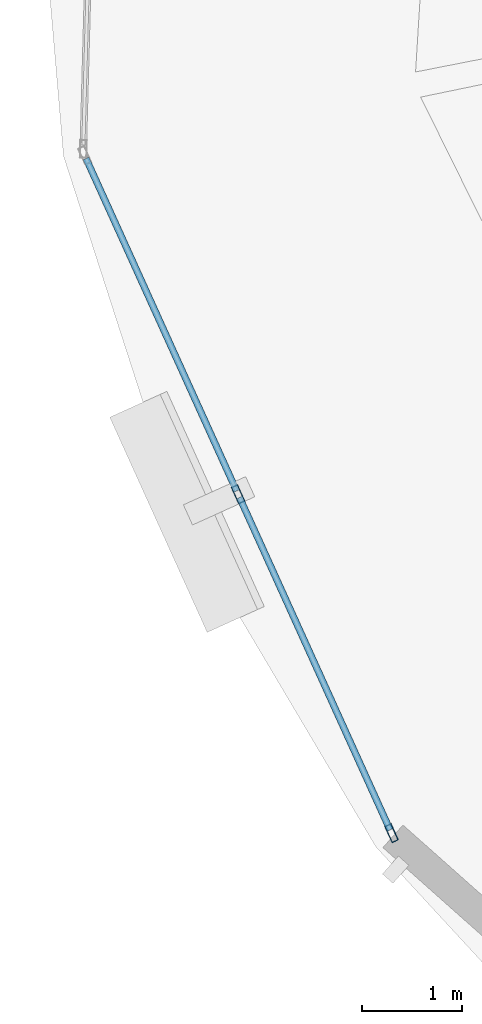
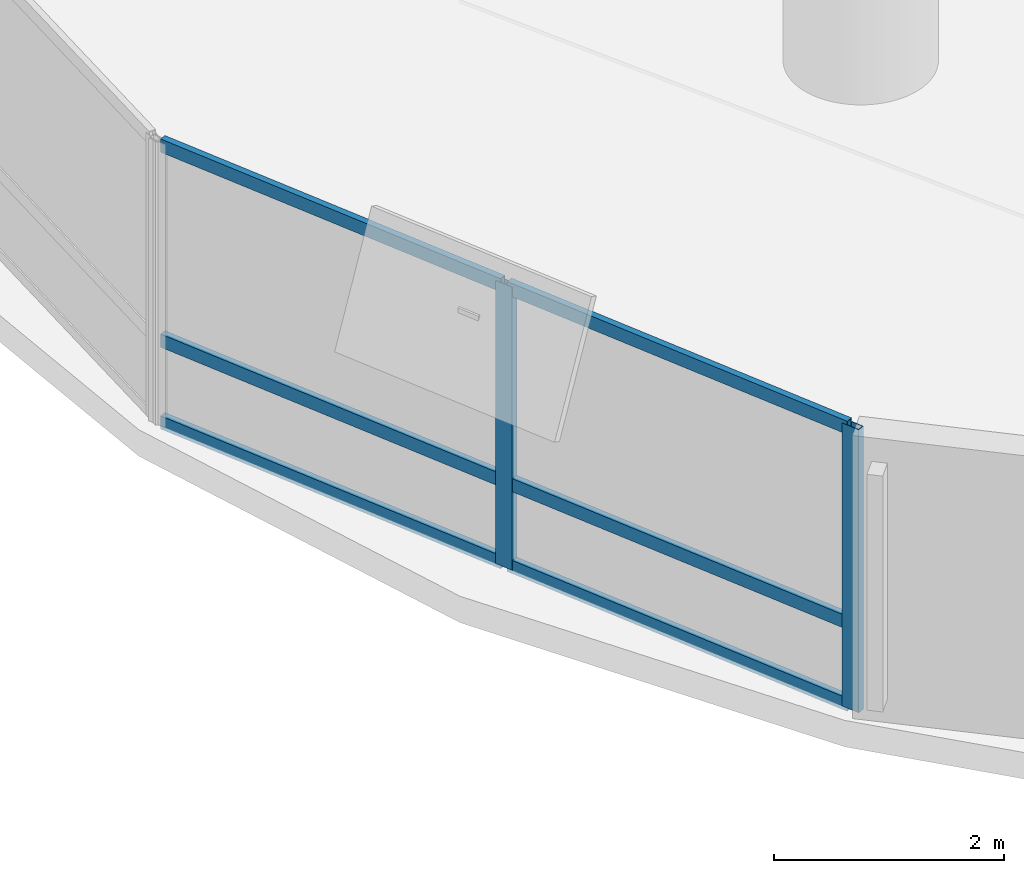
# One storey, part 2 of 17: 8 members, 1 element without a shape of its own.
"""IFC4 building model written with IfcOpenShell, lengths in metres."""

from ifc_helpers import new_model, si_unit, direction, frame, origin, origin_2d, place, context, subcontext, project, spatial, hollow_rectangle, extrude, material, layer, layer_set, material_profile, profile_set, type_object, element, aggregate, save


model = new_model("IFC4")

# Units and contexts
model_context = context("Model", 3, precision=1e-05, world=origin(), true_north=direction((0.0, 1.0)))
body_context = subcontext(model_context, "Body", "Model", "MODEL_VIEW")
ifc_project = project(units=[si_unit("LENGTHUNIT", "METRE"), si_unit("AREAUNIT", "SQUARE_METRE"), si_unit("VOLUMEUNIT", "CUBIC_METRE"), si_unit("PLANEANGLEUNIT", "RADIAN"), si_unit("MASSUNIT", "GRAM", prefix="KILO"), si_unit("THERMODYNAMICTEMPERATUREUNIT", "KELVIN"), si_unit("POWERUNIT", "WATT")], contexts=[model_context])

# Site, building, storey
site_placement = place(None, origin())
site = spatial("IfcSite", under=ifc_project, at=site_placement, CompositionType="ELEMENT")
building_placement = place(site_placement, origin())
building = spatial("IfcBuilding", under=site, at=building_placement, Name="Ocrelia Relay Tower", CompositionType="ELEMENT")
storey_placement = place(building_placement, frame((0.0, 0.0, 80.39990234375)))
storey = spatial("IfcBuildingStorey", under=building, at=storey_placement, Name="L18", CompositionType="ELEMENT", Elevation=80.39990234375)

# Curtain wall, members
ifc_material_1 = material(Name="Aluminium and solar-control low-E glass", Category="aluminium")
ifc_layer = layer(ifc_material_1, 0.179931640625, Name="Aluminium and solar-control low-E glass")
ifc_layer_set = layer_set([ifc_layer], Name="Aluminium and solar-control low-E glass")
curtain_wall_type = type_object("IfcCurtainWallType", Name="CW-SYS-Z1-DATA", PredefinedType="NOTDEFINED", material=ifc_layer_set)
curtain_wall_placement = place(storey_placement, origin())
curtain_wall = element("IfcCurtainWall", 1, at=curtain_wall_placement, inside=storey, type_object=curtain_wall_type, Name="L18 Elliptical Tower Curtain Wall Bay 10", PredefinedType="NOTDEFINED")
ifc_material_2 = material(Name="Anodised bronze aluminium", Category="aluminium")
ifc_material_profile_1 = material_profile(ifc_material_2, hollow_rectangle(XDim=0.070068359375, YDim=0.179931640625, WallThickness=0.006103515625, at=origin_2d()), Name="CW-MUL-180x70")
ifc_profile_set_1 = profile_set([ifc_material_profile_1], Name="Anodised bronze aluminium")
member_type_1 = type_object("IfcMemberType", Name="CW-SYS-Z1-DATA-MUL", PredefinedType="MULLION", material=ifc_profile_set_1)
member_1_placement = place(storey_placement, frame((8.290283203125, 17.10009765625, 0.0), z_axis=(0.0, 0.0, 1.0), x_axis=(0.910970682589, 0.41247110864, 0.0)))
member_1 = element("IfcMember", 2, at=member_1_placement, type_object=member_type_1, Name="CW-Z1 mullion 2", PredefinedType="MULLION", context=body_context, shape_type="SweptSolid", body=[
    extrude(hollow_rectangle(XDim=0.070068359375, YDim=0.179931640625, WallThickness=0.006103515625, at=origin_2d()), origin(), (0.0, 0.0, 1.0), 3.0),
])
member_2_placement = place(storey_placement, frame((9.8173828125, 13.72705078125, 0.0), z_axis=(0.0, 0.0, 1.0), x_axis=(0.910970682589, 0.41247110864, 0.0)))
member_2 = element("IfcMember", 3, at=member_2_placement, type_object=member_type_1, Name="CW-Z1 mullion 3", PredefinedType="MULLION", context=body_context, shape_type="SweptSolid", body=[
    extrude(hollow_rectangle(XDim=0.070068359375, YDim=0.179931640625, WallThickness=0.006103515625, at=origin_2d()), origin(), (0.0, 0.0, 1.0), 3.0),
])
ifc_material_profile_2 = material_profile(ifc_material_2, hollow_rectangle(XDim=0.06494140625, YDim=0.139892578125, WallThickness=0.0048828125, at=origin_2d()), Name="CW-TRN-140x65")
ifc_profile_set_2 = profile_set([ifc_material_profile_2], Name="Anodised bronze aluminium")
member_type_2 = type_object("IfcMemberType", Name="CW-SYS-Z1-DATA-TRN", PredefinedType="USERDEFINED", material=ifc_profile_set_2)
member_3_placement = place(storey_placement, frame((6.77734375, 20.44140625, 0.03271484375), z_axis=(0.412501239847, -0.910957039121, 0.0), x_axis=(0.910957039121, 0.412501239847, 0.0)))
member_3 = element("IfcMember", 4, at=member_3_placement, type_object=member_type_2, Name="CW-Z1 transom 1.1", ObjectType="TRANSOM", PredefinedType="USERDEFINED", context=body_context, shape_type="SweptSolid", body=[
    extrude(hollow_rectangle(XDim=0.06494140625, YDim=0.139892578125, WallThickness=0.0048828125, at=origin_2d()), origin(), (0.0, 0.0, 1.0), 3.6328125),
])
member_4_placement = place(storey_placement, frame((6.77734375, 20.44140625, 0.900146484375), z_axis=(0.412501239847, -0.910957039121, 0.0), x_axis=(0.910957039121, 0.412501239847, 0.0)))
member_4 = element("IfcMember", 5, at=member_4_placement, type_object=member_type_2, Name="CW-Z1 transom 1.2", ObjectType="TRANSOM", PredefinedType="USERDEFINED", context=body_context, shape_type="SweptSolid", body=[
    extrude(hollow_rectangle(XDim=0.06494140625, YDim=0.139892578125, WallThickness=0.0048828125, at=origin_2d()), origin(), (0.0, 0.0, 1.0), 3.6328125),
])
member_5_placement = place(storey_placement, frame((6.77734375, 20.44140625, 2.967529296875), z_axis=(0.412501239847, -0.910957039121, 0.0), x_axis=(0.910957039121, 0.412501239847, 0.0)))
member_5 = element("IfcMember", 6, at=member_5_placement, type_object=member_type_2, Name="CW-Z1 transom 1.3", ObjectType="TRANSOM", PredefinedType="USERDEFINED", context=body_context, shape_type="SweptSolid", body=[
    extrude(hollow_rectangle(XDim=0.06494140625, YDim=0.139892578125, WallThickness=0.0048828125, at=origin_2d()), origin(), (0.0, 0.0, 1.0), 3.6328125),
])
member_6_placement = place(storey_placement, frame((8.3046875, 17.068359375, 0.03271484375), z_axis=(0.41244546836, -0.910982291611, 0.0), x_axis=(0.910982291611, 0.41244546836, 0.0)))
member_6 = element("IfcMember", 7, at=member_6_placement, type_object=member_type_2, Name="CW-Z1 transom 2.1", ObjectType="TRANSOM", PredefinedType="USERDEFINED", context=body_context, shape_type="SweptSolid", body=[
    extrude(hollow_rectangle(XDim=0.06494140625, YDim=0.139892578125, WallThickness=0.0048828125, at=origin_2d()), origin(), (0.0, 0.0, 1.0), 3.6328125),
])
member_7_placement = place(storey_placement, frame((8.3046875, 17.068359375, 0.900146484375), z_axis=(0.41244546836, -0.910982291611, 0.0), x_axis=(0.910982291611, 0.41244546836, 0.0)))
member_7 = element("IfcMember", 8, at=member_7_placement, type_object=member_type_2, Name="CW-Z1 transom 2.2", ObjectType="TRANSOM", PredefinedType="USERDEFINED", context=body_context, shape_type="SweptSolid", body=[
    extrude(hollow_rectangle(XDim=0.06494140625, YDim=0.139892578125, WallThickness=0.0048828125, at=origin_2d()), origin(), (0.0, 0.0, 1.0), 3.6328125),
])
member_8_placement = place(storey_placement, frame((8.3046875, 17.068359375, 2.967529296875), z_axis=(0.41244546836, -0.910982291611, 0.0), x_axis=(0.910982291611, 0.41244546836, 0.0)))
member_8 = element("IfcMember", 9, at=member_8_placement, type_object=member_type_2, Name="CW-Z1 transom 2.3", ObjectType="TRANSOM", PredefinedType="USERDEFINED", context=body_context, shape_type="SweptSolid", body=[
    extrude(hollow_rectangle(XDim=0.06494140625, YDim=0.139892578125, WallThickness=0.0048828125, at=origin_2d()), origin(), (0.0, 0.0, 1.0), 3.6328125),
])
aggregate(curtain_wall, [member_1, member_2, member_3, member_4, member_5, member_6, member_7, member_8])

save(model, "model.ifc")
